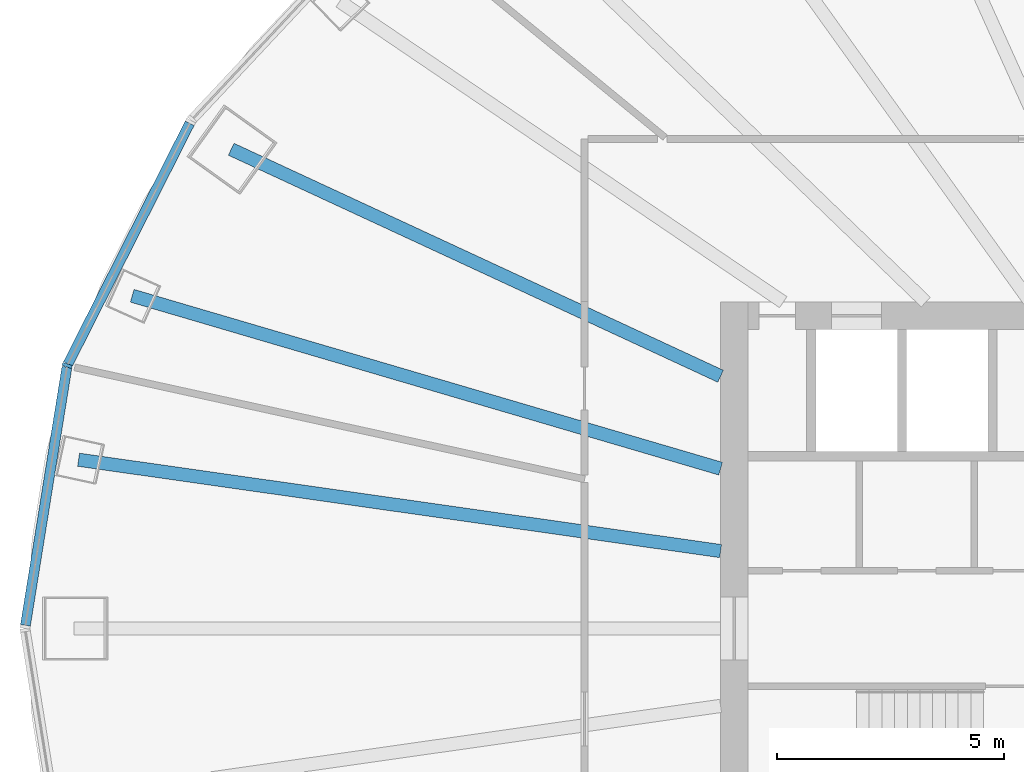
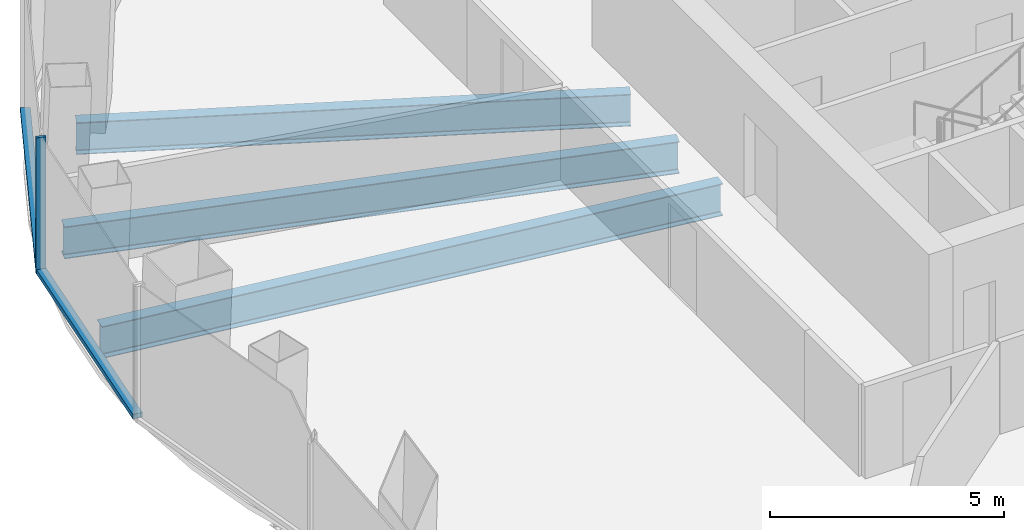
# One storey, part 3 of 11: 3 beams, 3 members, 1 element without a shape of its own.
"""IFC4 building model written with IfcOpenShell, lengths in metres."""

from ifc_helpers import new_model, si_unit, direction, frame, origin, origin_2d, place, context, subcontext, project, spatial, rectangle, i_section, extrude, material, layer, layer_set, material_profile, profile_set, type_object, element, aggregate, save


model = new_model("IFC4")

# Units and contexts
model_context = context("Model", 3, precision=1e-05, world=origin(), true_north=direction((0.0, 1.0)))
body_context = subcontext(model_context, "Body", "Model", "MODEL_VIEW")
ifc_project = project(units=[si_unit("LENGTHUNIT", "METRE"), si_unit("AREAUNIT", "SQUARE_METRE"), si_unit("VOLUMEUNIT", "CUBIC_METRE"), si_unit("PLANEANGLEUNIT", "RADIAN"), si_unit("MASSUNIT", "GRAM", prefix="KILO")], contexts=[model_context])

# Site, building, storey
site_placement = place(None, origin())
site = spatial("IfcSite", under=ifc_project, at=site_placement, CompositionType="ELEMENT")
building_placement = place(site_placement, origin())
building = spatial("IfcBuilding", under=site, at=building_placement, Name="Siaravel Broadcast Tower", CompositionType="ELEMENT")
storey_placement = place(building_placement, frame((0.0, 0.0, 63.0)))
storey = spatial("IfcBuildingStorey", under=building, at=storey_placement, Name="L14", CompositionType="ELEMENT", Elevation=63.0)

# Beams
ifc_material_1 = material(Name="Steel S355", Category="steel")
ifc_material_profile_1 = material_profile(ifc_material_1, i_section(OverallWidth=0.291748046875, OverallDepth=0.8349609375, WebThickness=0.013916015625, FlangeThickness=0.018798828125, FilletRadius=0.017822265625, at=origin_2d()))
ifc_profile_set_1 = profile_set([ifc_material_profile_1], Name="Steel S355")
beam_type = type_object("IfcBeamType", Name="BM-UB 838x292x176", PredefinedType="BEAM", material=ifc_profile_set_1)
beam_1_placement = place(storey_placement, frame((-22.796875, 10.572509765625, -0.5673828125), z_axis=(0.907185738, -0.420730361, 0.0), x_axis=(0.420730361, 0.907185738, 0.0)))
element("IfcBeam", 1, at=beam_1_placement, inside=storey, type_object=beam_type, Name="Radial beam RB16", PredefinedType="BEAM", context=body_context, shape_type="SweptSolid", body=[
    extrude(i_section(OverallWidth=0.291748046875, OverallDepth=0.8349609375, WebThickness=0.013916015625, FlangeThickness=0.018798828125, FilletRadius=0.017822265625, at=origin_2d()), origin(), (0.0, 0.0, 1.0), 11.901611328125),
])
beam_2_placement = place(storey_placement, frame((-24.980712890625, 7.340576171875, -0.5673828125), z_axis=(0.959433573, -0.281934777, 0.0), x_axis=(0.281934777, 0.959433573, 0.0)))
element("IfcBeam", 2, at=beam_2_placement, inside=storey, type_object=beam_type, Name="Radial beam RB17", PredefinedType="BEAM", context=body_context, shape_type="SweptSolid", body=[
    extrude(i_section(OverallWidth=0.291748046875, OverallDepth=0.8349609375, WebThickness=0.013916015625, FlangeThickness=0.018798828125, FilletRadius=0.017822265625, at=origin_2d()), origin(), (0.0, 0.0, 1.0), 13.529541015625),
])
beam_3_placement = place(storey_placement, frame((-26.1640625, 3.723388671875, -0.5673828125), z_axis=(0.990025799, -0.140886186, 0.0), x_axis=(0.140886186, 0.990025799, 0.0)))
element("IfcBeam", 3, at=beam_3_placement, inside=storey, type_object=beam_type, Name="Radial beam RB18", PredefinedType="BEAM", context=body_context, shape_type="SweptSolid", body=[
    extrude(i_section(OverallWidth=0.291748046875, OverallDepth=0.8349609375, WebThickness=0.013916015625, FlangeThickness=0.018798828125, FilletRadius=0.017822265625, at=origin_2d()), origin(), (0.0, 0.0, 1.0), 14.306640625),
])

# Curtain wall, members
ifc_material_2 = material(Name="Aluminium 6063-T6", Category="aluminium")
ifc_layer = layer(ifc_material_2, 0.219970703125)
ifc_layer_set = layer_set([ifc_layer], Name="Aluminium 6063-T6")
curtain_wall_type = type_object("IfcCurtainWallType", Name="Unitised curtain wall, zone 1", PredefinedType="NOTDEFINED", material=ifc_layer_set)
curtain_wall_placement = place(storey_placement, origin())
curtain_wall = element("IfcCurtainWall", 4, at=curtain_wall_placement, inside=storey, type_object=curtain_wall_type, Name="L14 Unitised curtain wall, zone 1 06", PredefinedType="NOTDEFINED")
ifc_material_profile_2 = material_profile(ifc_material_2, rectangle(XDim=0.219970703125, YDim=0.070068359375, at=origin_2d()))
ifc_profile_set_2 = profile_set([ifc_material_profile_2], Name="Aluminium 6063-T6")
member_type_1 = type_object("IfcMemberType", Name="CW-Z1 mullion", PredefinedType="MULLION", material=ifc_profile_set_2)
member_1_placement = place(storey_placement, frame((-26.415283203125, 5.802734375, 0.0), z_axis=(0.0, 0.0, 1.0), x_axis=(0.95117683, -0.30864646, 0.0)))
member_1 = element("IfcMember", 5, at=member_1_placement, type_object=member_type_1, Name="CW-Z1 mullion 2", PredefinedType="MULLION", context=body_context, shape_type="SweptSolid", body=[
    extrude(rectangle(XDim=0.219970703125, YDim=0.070068359375, at=origin_2d()), origin(), (0.0, 0.0, 1.0), 3.550048828125),
])
ifc_material_profile_3 = material_profile(ifc_material_2, rectangle(XDim=0.219970703125, YDim=0.1201171875, at=origin_2d()))
ifc_profile_set_3 = profile_set([ifc_material_profile_3], Name="Aluminium 6063-T6")
member_type_2 = type_object("IfcMemberType", Name="CW-Z1 transom", PredefinedType="USERDEFINED", material=ifc_profile_set_3)
member_2_placement = place(storey_placement, frame((-23.712890625, 11.146240234375, 0.06005859375), z_axis=(-0.451293706, -0.892375477, 0.0), x_axis=(0.892375477, -0.451293706, 0.0)))
member_2 = element("IfcMember", 6, at=member_2_placement, type_object=member_type_2, Name="CW-Z1 transom 1", ObjectType="TRANSOM", PredefinedType="USERDEFINED", context=body_context, shape_type="SweptSolid", body=[
    extrude(rectangle(XDim=0.219970703125, YDim=0.1201171875, at=origin_2d()), origin(), (0.0, 0.0, 1.0), 5.952880859375),
])
member_3_placement = place(storey_placement, frame((-26.420654296875, 5.768310546875, 0.06005859375), z_axis=(-0.158689875, -0.987328478, 0.0), x_axis=(0.987328478, -0.158689875, 0.0)))
member_3 = element("IfcMember", 7, at=member_3_placement, type_object=member_type_2, Name="CW-Z1 transom 2", ObjectType="TRANSOM", PredefinedType="USERDEFINED", context=body_context, shape_type="SweptSolid", body=[
    extrude(rectangle(XDim=0.219970703125, YDim=0.1201171875, at=origin_2d()), origin(), (0.0, 0.0, 1.0), 5.7724609375),
])
aggregate(curtain_wall, [member_1, member_2, member_3])

save(model, "model.ifc")
